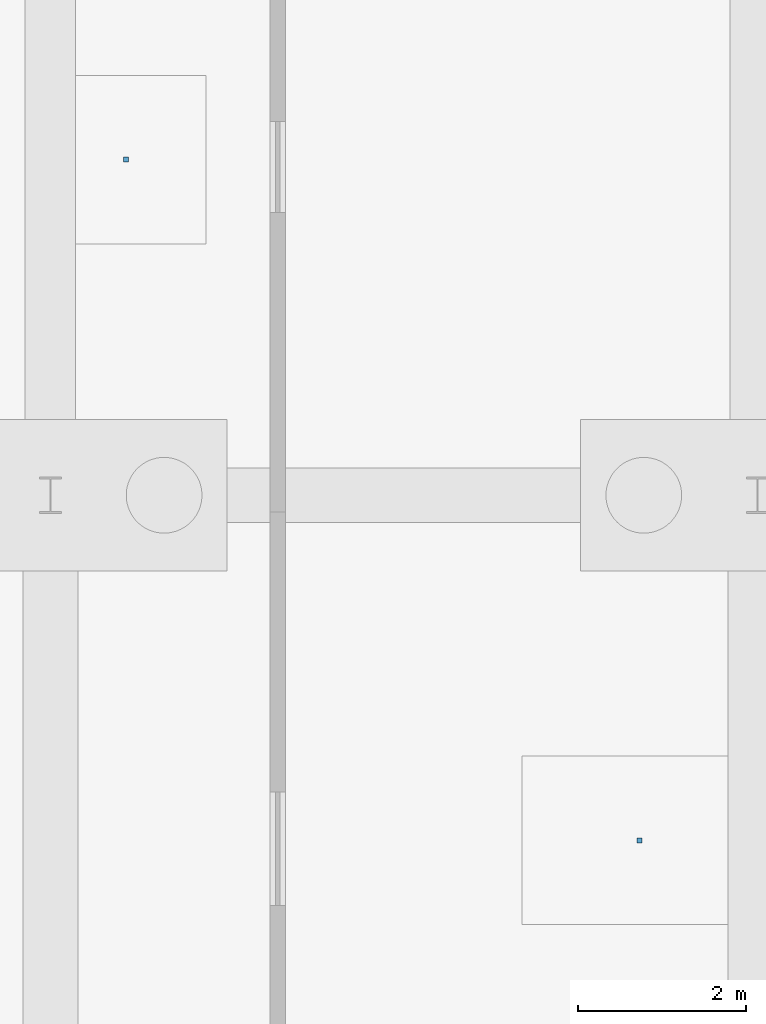
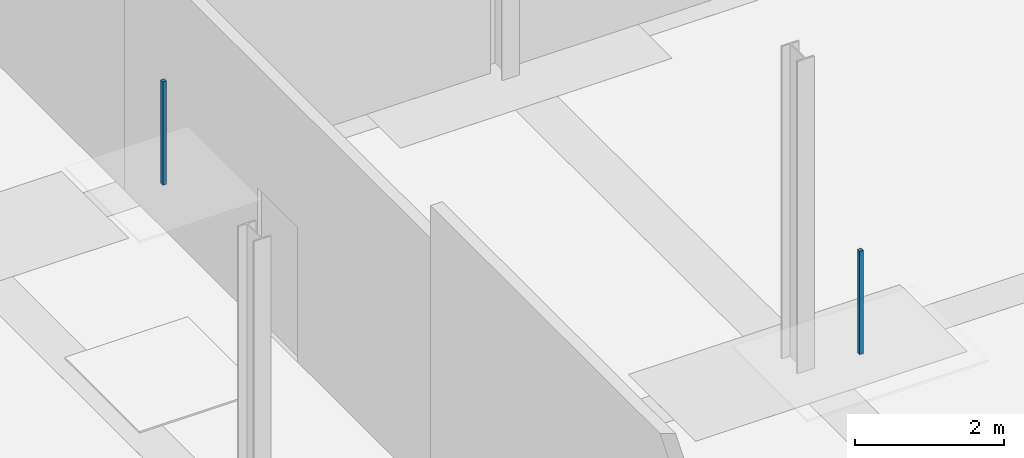
# One storey, part 105 of 119: 2 discrete accessories.
"""IFC4 building model written with IfcOpenShell, lengths in metres."""

from ifc_helpers import new_model, si_unit, derived_unit, direction, frame, origin, origin_2d, place, context, subcontext, project, spatial, rectangle, extrude, material, layer, layer_set, type_object, element, save


model = new_model("IFC4")

# Units and contexts
model_context = context("Model", 3, precision=1e-05, world=origin(), true_north=direction((0.0, 1.0)))
body_context = subcontext(model_context, "Body", "Model", "MODEL_VIEW")
ifc_project = project(units=[si_unit("LENGTHUNIT", "METRE"), si_unit("AREAUNIT", "SQUARE_METRE"), si_unit("VOLUMEUNIT", "CUBIC_METRE"), si_unit("PLANEANGLEUNIT", "RADIAN"), si_unit("MASSUNIT", "GRAM", prefix="KILO"), derived_unit("THERMALTRANSMITTANCEUNIT", [(si_unit("MASSUNIT", "GRAM", prefix="KILO"), 1), (si_unit("TIMEUNIT", "SECOND"), -3), (si_unit("THERMODYNAMICTEMPERATUREUNIT", "KELVIN"), -1)])], contexts=[model_context])

# Site, building, storey
site_placement = place(None, origin())
site = spatial("IfcSite", under=ifc_project, at=site_placement, CompositionType="ELEMENT")
building_placement = place(site_placement, origin())
building = spatial("IfcBuilding", under=site, at=building_placement, Name="Makaiwela Harbour Ferry Terminal", CompositionType="ELEMENT")
storey_placement = place(building_placement, origin())
storey = spatial("IfcBuildingStorey", under=building, at=storey_placement, Name="L00", CompositionType="ELEMENT", Elevation=0.0)

# Discrete accessories
ifc_material = material(Name="Marine grade 316L brushed stainless steel", Category="steel")
ifc_layer = layer(ifc_material, 1.0)
ifc_layer_set = layer_set([ifc_layer], Name="Marine grade 316L brushed stainless steel")
discrete_accessory_type = type_object("IfcDiscreteAccessoryType", Name="INT-ACC-HNG", PredefinedType="BRACKET", material=ifc_layer_set)
for number, where, z_axis, x_axis, name in (
    (1, (154.0, 29.5, 3.135009765625), (0.0, 0.0, 1.0), (1.0, 0.0, 0.0), "Ceiling Suspension Bracket HNG-021"),
    (2, (147.89990234375, 37.587890625, 3.135009765625), (0.0, 0.0, 1.0), (1.0, 0.0, 0.0), "Ceiling Suspension Bracket HNG-023"),
):
    element("IfcDiscreteAccessory", number, at=place(storey_placement, frame(where, z_axis=z_axis, x_axis=x_axis)), inside=storey, type_object=discrete_accessory_type, Name=name, PredefinedType="BRACKET", context=body_context, shape_type="SweptSolid", body=[
        extrude(rectangle(XDim=0.06005859375, YDim=0.06005859375, at=origin_2d()), origin(), (0.0, 0.0, 1.0), 1.68994140625),
    ])

save(model, "model.ifc")
